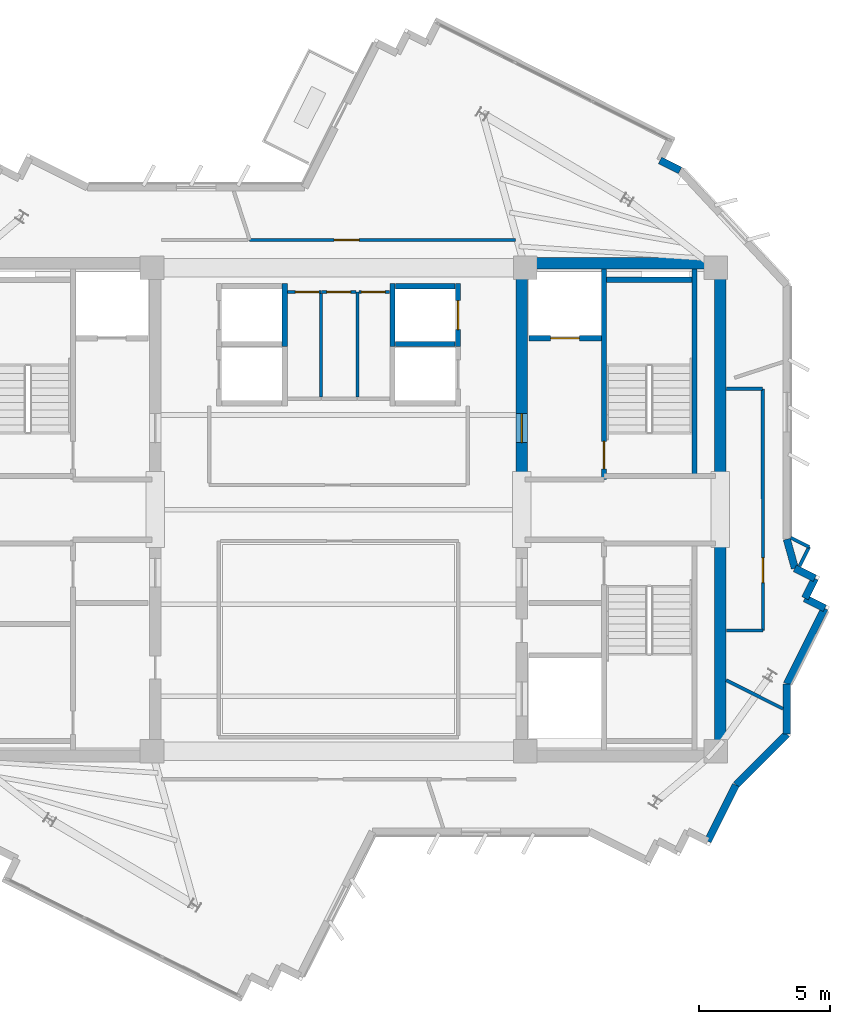
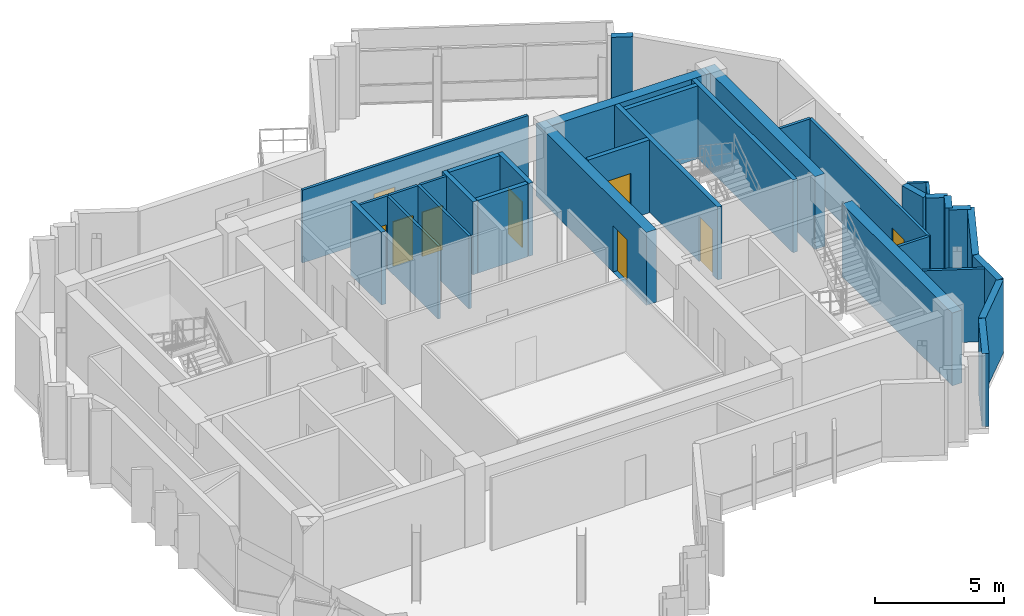
# One storey, part 8 of 11: 34 walls, 9 doors, 9 openings.
"""IFC4 building model written with IfcOpenShell, lengths in metres."""

from ifc_helpers import new_model, si_unit, direction, frame, frame_2d, origin, place, context, subcontext, project, spatial, rectangle, extrude, source, transform, mapped, material, layer, layer_set, type_object, element, fill, save


model = new_model("IFC4")

# Units and contexts
model_context = context("Model", 3, precision=1e-05, world=origin(), true_north=direction((0.0, 1.0)))
body_context = subcontext(model_context, "Body", "Model", "MODEL_VIEW")
ifc_project = project(units=[si_unit("LENGTHUNIT", "METRE"), si_unit("AREAUNIT", "SQUARE_METRE"), si_unit("VOLUMEUNIT", "CUBIC_METRE"), si_unit("PLANEANGLEUNIT", "RADIAN"), si_unit("MASSUNIT", "GRAM", prefix="KILO")], contexts=[model_context])

# Site, building, storey
site_placement = place(None, origin())
site = spatial("IfcSite", under=ifc_project, at=site_placement, CompositionType="ELEMENT")
building_placement = place(site_placement, origin())
building = spatial("IfcBuilding", under=site, at=building_placement, Name="Zahravan Cultural Tower", CompositionType="ELEMENT")
storey_placement = place(building_placement, frame((0.0, 0.0, 357.300048828125)))
storey = spatial("IfcBuildingStorey", under=building, at=storey_placement, Name="L87", CompositionType="ELEMENT", Elevation=357.300048828125)

# Wall, opening, door
ifc_material_1 = material(Name="Concrete C50/60", Category="concrete")
ifc_layer_1 = layer(ifc_material_1, 0.449951171875)
ifc_layer_set_1 = layer_set([ifc_layer_1], Name="Concrete C50/60")
wall_type_1 = type_object("IfcWallType", Name="CW-SHEAR-450-C50", PredefinedType="SHEAR", material=ifc_layer_set_1)
wall_1_placement = place(storey_placement, frame((42.97509765625, 28.050048828125, 0.0), z_axis=(0.0, 0.0, 1.0), x_axis=(0.0, 1.0, 0.0)))
wall_1 = element("IfcWall", 1, at=wall_1_placement, inside=storey, type_object=wall_type_1, Name="L87 Core Shear Wall CW-E-WN-L87", PredefinedType="SHEAR", context=body_context, shape_type="SweptSolid", body=[
    extrude(rectangle(XDim=8.550048828125, YDim=0.449951171875, at=frame_2d((4.27490234375, 0.0))), origin(), (0.0, 0.0, 1.0), 3.449951171875),
])
opening_1_placement = place(wall_1_placement, frame((1.5, 0.0, 0.0)))
opening_1 = element("IfcOpeningElement", 2, at=opening_1_placement, cuts=wall_1, Name="Opening D-L87-07", PredefinedType="OPENING", context=body_context, shape_type="SweptSolid", body=[
    extrude(rectangle(XDim=1.10009765625, YDim=2.199951171875, at=frame_2d((0.550048828125, 1.10009765625))), frame((0.0, 0.23486328125, 0.0), z_axis=(0.0, -1.0, 0.0), x_axis=(1.0, 0.0, 0.0)), (0.0, 0.0, 1.0), 0.469970703125),
])
ifc_material_2 = material(Name="Steel ASTM A572 Grade 50", Category="steel")
door_type_1 = type_object("IfcDoorType", Name="DR-LOBBY-1100", OperationType="NOTDEFINED", PredefinedType="DOOR", material=ifc_material_2)
shared_shape_1 = source(origin(), body_context, "Body", "SweptSolid", [
    extrude(rectangle(XDim=1.10009765625, YDim=2.199951171875, at=frame_2d((0.550048828125, 1.10009765625))), frame((0.0, 0.02490234375, 0.0), z_axis=(0.0, -1.0, 0.0), x_axis=(1.0, 0.0, 0.0)), (0.0, 0.0, 1.0), 0.050048828125),
])
door_1_placement = place(opening_1_placement, origin())
door_1 = element("IfcDoor", 3, at=door_1_placement, inside=storey, type_object=door_type_1, Name="L87 Door D-L87-07", OperationType="SINGLE_SWING_RIGHT", OverallHeight=2.199951171875, OverallWidth=1.10009765625, PredefinedType="DOOR", context=body_context, shape_type="MappedRepresentation", body=[
    mapped(shared_shape_1, transform((0.0, 0.0, 0.0), x_axis=(1.0, 0.0, 0.0), y_axis=(0.0, 1.0, 0.0), z_axis=(0.0, 0.0, 1.0), scale=1.0)),
])
fill(opening_1, door_1)

ifc_material_3 = material(Name="Gypsum plasterboard partition")
ifc_layer_2 = layer(ifc_material_3, 0.125)
ifc_layer_set_2 = layer_set([ifc_layer_2], Name="Gypsum plasterboard partition")
wall_type_2 = type_object("IfcWallType", Name="W-PART-125", PredefinedType="PARTITIONING", material=ifc_layer_set_2)
wall_2_placement = place(storey_placement, frame((52.14990234375, 22.406005859375, 0.0), z_axis=(0.0, 0.0, 1.0), x_axis=(-0.000132840935, 0.999999991177, 0.0)))
wall_2 = element("IfcWall", 4, at=wall_2_placement, inside=storey, type_object=wall_type_2, Name="L87 Interior Wall 050", PredefinedType="PARTITIONING", context=body_context, shape_type="SweptSolid", body=[
    extrude(rectangle(XDim=9.189208984375, YDim=0.125, at=frame_2d((4.5947265625, 0.0))), origin(), (0.0, 0.0, 1.0), 3.449951171875),
])
opening_2_placement = place(wall_2_placement, frame((1.8125, 0.0, 0.0)))
opening_2 = element("IfcOpeningElement", 5, at=opening_2_placement, cuts=wall_2, Name="Opening D-L87-21", PredefinedType="OPENING", context=body_context, shape_type="SweptSolid", body=[
    extrude(rectangle(XDim=0.949951171875, YDim=2.14990234375, at=frame_2d((0.47509765625, 1.074951171875))), frame((0.0, 0.072509765625, 0.0), z_axis=(0.0, -1.0, 0.0), x_axis=(1.0, 0.0, 0.0)), (0.0, 0.0, 1.0), 0.14501953125),
])
ifc_material_4 = material(Name="Anodised bronze-aluminium mullion", Category="aluminium")
door_type_2 = type_object("IfcDoorType", Name="DR-ROOM-950", OperationType="NOTDEFINED", PredefinedType="DOOR", material=ifc_material_4)
shared_shape_2 = source(origin(), body_context, "Body", "SweptSolid", [
    extrude(rectangle(XDim=0.949951171875, YDim=2.14990234375, at=frame_2d((0.47509765625, 1.074951171875))), frame((0.0, 0.02490234375, 0.0), z_axis=(0.0, -1.0, 0.0), x_axis=(1.0, 0.0, 0.0)), (0.0, 0.0, 1.0), 0.050048828125),
])
door_2_placement = place(opening_2_placement, origin())
door_2 = element("IfcDoor", 6, at=door_2_placement, inside=storey, type_object=door_type_2, Name="L87 Door D-L87-21", OperationType="SINGLE_SWING_RIGHT", OverallHeight=2.14990234375, OverallWidth=0.949951171875, PredefinedType="DOOR", context=body_context, shape_type="MappedRepresentation", body=[
    mapped(shared_shape_2, transform((0.0, 0.0, 0.0), x_axis=(1.0, 0.0, 0.0), y_axis=(0.0, 1.0, 0.0), z_axis=(0.0, 0.0, 1.0), scale=1.0)),
])
fill(opening_2, door_2)

wall_3_placement = place(storey_placement, frame((42.742431640625, 37.259765625, 0.0), z_axis=(0.0, 0.0, 1.0), x_axis=(-0.999999999709, 2.411847e-05, 0.0)))
wall_3 = element("IfcWall", 7, at=wall_3_placement, inside=storey, type_object=wall_type_2, Name="L87 Interior Wall 075", PredefinedType="PARTITIONING", context=body_context, shape_type="SweptSolid", body=[
    extrude(rectangle(XDim=10.12255859375, YDim=0.125, at=frame_2d((5.061279296875, 0.0))), origin(), (0.0, 0.0, 1.0), 3.449951171875),
])
opening_3_placement = place(wall_3_placement, frame((5.962158203125, 0.0, 0.0)))
opening_3 = element("IfcOpeningElement", 8, at=opening_3_placement, cuts=wall_3, Name="Opening D-L87-17", PredefinedType="OPENING", context=body_context, shape_type="SweptSolid", body=[
    extrude(rectangle(XDim=0.949951171875, YDim=2.14990234375, at=frame_2d((0.47509765625, 1.074951171875))), frame((0.0, 0.072509765625, 0.0), z_axis=(0.0, -1.0, 0.0), x_axis=(1.0, 0.0, 0.0)), (0.0, 0.0, 1.0), 0.14501953125),
])
door_3_placement = place(opening_3_placement, origin())
door_3 = element("IfcDoor", 9, at=door_3_placement, inside=storey, type_object=door_type_2, Name="L87 Door D-L87-17", OperationType="SINGLE_SWING_RIGHT", OverallHeight=2.14990234375, OverallWidth=0.949951171875, PredefinedType="DOOR", context=body_context, shape_type="MappedRepresentation", body=[
    mapped(shared_shape_2, transform((0.0, 0.0, 0.0), x_axis=(1.0, 0.0, 0.0), y_axis=(0.0, 1.0, 0.0), z_axis=(0.0, 0.0, 1.0), scale=1.0)),
])
fill(opening_3, door_3)

ifc_material_5 = material(Name="Concrete C45/55", Category="concrete")
ifc_layer_3 = layer(ifc_material_5, 0.199951171875)
ifc_layer_set_3 = layer_set([ifc_layer_3], Name="Concrete C45/55")
wall_type_3 = type_object("IfcWallType", Name="W-SHAFT-200", PredefinedType="SOLIDWALL", material=ifc_layer_set_3)
wall_4_placement = place(storey_placement, frame((46.10009765625, 28.14990234375, 0.0), z_axis=(0.0, 0.0, 1.0), x_axis=(0.0, 1.0, 0.0)))
wall_4 = element("IfcWall", 10, at=wall_4_placement, inside=storey, type_object=wall_type_3, Name="L87 Interior Wall 008", PredefinedType="SOLIDWALL", context=body_context, shape_type="SweptSolid", body=[
    extrude(rectangle(XDim=8.0, YDim=0.199951171875, at=frame_2d((4.0, 0.0))), origin(), (0.0, 0.0, 1.0), 3.449951171875),
])
opening_4_placement = place(wall_4_placement, frame((0.39990234375, 0.0, 0.0)))
opening_4 = element("IfcOpeningElement", 11, at=opening_4_placement, cuts=wall_4, Name="Opening D-L87-02", PredefinedType="OPENING", context=body_context, shape_type="SweptSolid", body=[
    extrude(rectangle(XDim=1.050048828125, YDim=2.14990234375, at=frame_2d((0.52490234375, 1.074951171875))), frame((0.0, 0.10986328125, 0.0), z_axis=(0.0, -1.0, 0.0), x_axis=(1.0, 0.0, 0.0)), (0.0, 0.0, 1.0), 0.219970703125),
])
door_type_3 = type_object("IfcDoorType", Name="DR-STAIR-1050", OperationType="NOTDEFINED", PredefinedType="DOOR", material=ifc_material_2)
shared_shape_3 = source(origin(), body_context, "Body", "SweptSolid", [
    extrude(rectangle(XDim=1.050048828125, YDim=2.14990234375, at=frame_2d((0.52490234375, 1.074951171875))), frame((0.0, 0.02490234375, 0.0), z_axis=(0.0, -1.0, 0.0), x_axis=(1.0, 0.0, 0.0)), (0.0, 0.0, 1.0), 0.050048828125),
])
door_4_placement = place(opening_4_placement, origin())
door_4 = element("IfcDoor", 12, at=door_4_placement, inside=storey, type_object=door_type_3, Name="L87 Door D-L87-02", OperationType="SINGLE_SWING_LEFT", OverallHeight=2.14990234375, OverallWidth=1.050048828125, PredefinedType="DOOR", context=body_context, shape_type="MappedRepresentation", body=[
    mapped(shared_shape_3, transform((0.0, 0.0, 0.0), x_axis=(1.0, 0.0, 0.0), y_axis=(0.0, 1.0, 0.0), z_axis=(0.0, 0.0, 1.0), scale=1.0)),
])
fill(opening_4, door_4)

wall_5_placement = place(storey_placement, frame((43.25, 33.52001953125, 0.0), z_axis=(0.0, 0.0, 1.0), x_axis=(1.0, 0.0, 0.0)))
wall_5 = element("IfcWall", 13, at=wall_5_placement, inside=storey, type_object=wall_type_3, Name="L87 Interior Wall 023", PredefinedType="SOLIDWALL", context=body_context, shape_type="SweptSolid", body=[
    extrude(rectangle(XDim=2.75, YDim=0.199951171875, at=frame_2d((1.375, 0.0))), origin(), (0.0, 0.0, 1.0), 3.449951171875),
])
opening_5_placement = place(wall_5_placement, frame((0.820068359375, 0.0, 0.0)))
opening_5 = element("IfcOpeningElement", 14, at=opening_5_placement, cuts=wall_5, Name="Opening LD-L87-02", PredefinedType="OPENING", context=body_context, shape_type="SweptSolid", body=[
    extrude(rectangle(XDim=1.10009765625, YDim=2.14990234375, at=frame_2d((0.550048828125, 1.074951171875))), frame((0.0, 0.10986328125, 0.0), z_axis=(0.0, -1.0, 0.0), x_axis=(1.0, 0.0, 0.0)), (0.0, 0.0, 1.0), 0.219970703125),
])
door_type_4 = type_object("IfcDoorType", Name="DR-LIFT-1100", OperationType="DOUBLE_DOOR_SLIDING", PredefinedType="DOOR", material=ifc_material_2)
shared_shape_4 = source(origin(), body_context, "Body", "SweptSolid", [
    extrude(rectangle(XDim=1.10009765625, YDim=2.14990234375, at=frame_2d((0.550048828125, 1.074951171875))), frame((0.0, 0.02490234375, 0.0), z_axis=(0.0, -1.0, 0.0), x_axis=(1.0, 0.0, 0.0)), (0.0, 0.0, 1.0), 0.050048828125),
])
door_5_placement = place(opening_5_placement, origin())
door_5 = element("IfcDoor", 15, at=door_5_placement, inside=storey, type_object=door_type_4, Name="L87 Door LD-L87-02", OperationType="DOUBLE_DOOR_SLIDING", OverallHeight=2.14990234375, OverallWidth=1.10009765625, PredefinedType="DOOR", context=body_context, shape_type="MappedRepresentation", body=[
    mapped(shared_shape_4, transform((0.0, 0.0, 0.0), x_axis=(1.0, 0.0, 0.0), y_axis=(0.0, 1.0, 0.0), z_axis=(0.0, 0.0, 1.0), scale=1.0)),
])
fill(opening_5, door_5)

wall_6_placement = place(storey_placement, frame((40.550048828125, 33.199951171875, 0.0), z_axis=(0.0, 0.0, 1.0), x_axis=(0.0, 1.0, 0.0)))
wall_6 = element("IfcWall", 16, at=wall_6_placement, inside=storey, type_object=wall_type_3, Name="L87 Interior Wall 035", PredefinedType="SOLIDWALL", context=body_context, shape_type="SweptSolid", body=[
    extrude(rectangle(XDim=2.400146484375, YDim=0.199951171875, at=frame_2d((1.2001953125, 0.0))), origin(), (0.0, 0.0, 1.0), 3.449951171875),
])
opening_6_placement = place(wall_6_placement, frame((0.64990234375, 0.0, 0.0)))
opening_6 = element("IfcOpeningElement", 17, at=opening_6_placement, cuts=wall_6, Name="Opening LD-L87-06", PredefinedType="OPENING", context=body_context, shape_type="SweptSolid", body=[
    extrude(rectangle(XDim=1.10009765625, YDim=2.14990234375, at=frame_2d((0.550048828125, 1.074951171875))), frame((0.0, 0.10986328125, 0.0), z_axis=(0.0, -1.0, 0.0), x_axis=(1.0, 0.0, 0.0)), (0.0, 0.0, 1.0), 0.219970703125),
])
door_6_placement = place(opening_6_placement, origin())
door_6 = element("IfcDoor", 18, at=door_6_placement, inside=storey, type_object=door_type_4, Name="L87 Door LD-L87-06", OperationType="DOUBLE_DOOR_SLIDING", OverallHeight=2.14990234375, OverallWidth=1.10009765625, PredefinedType="DOOR", context=body_context, shape_type="MappedRepresentation", body=[
    mapped(shared_shape_4, transform((0.0, 0.0, 0.0), x_axis=(1.0, 0.0, 0.0), y_axis=(0.0, 1.0, 0.0), z_axis=(0.0, 0.0, 1.0), scale=1.0)),
])
fill(opening_6, door_6)

ifc_layer_4 = layer(ifc_material_3, 0.114990234375)
ifc_layer_set_4 = layer_set([ifc_layer_4], Name="Gypsum plasterboard partition")
wall_type_4 = type_object("IfcWallType", Name="W-WC-115", PredefinedType="PARTITIONING", material=ifc_layer_set_4)
wall_7_placement = place(storey_placement, frame((36.782470703125, 35.280029296875, 0.0), z_axis=(0.0, 0.0, 1.0), x_axis=(1.0, 0.0, 0.0)))
wall_7 = element("IfcWall", 19, at=wall_7_placement, inside=storey, type_object=wall_type_4, Name="L87 Interior Wall 043", PredefinedType="PARTITIONING", context=body_context, shape_type="SweptSolid", body=[
    extrude(rectangle(XDim=1.16259765625, YDim=0.114990234375, at=frame_2d((0.581298828125, 0.0))), origin(), (0.0, 0.0, 1.0), 3.449951171875),
])
opening_7_placement = place(wall_7_placement, frame((0.0888671875, 0.0, 0.0)))
opening_7 = element("IfcOpeningElement", 20, at=opening_7_placement, cuts=wall_7, Name="Opening D-L87-15", PredefinedType="OPENING", context=body_context, shape_type="SweptSolid", body=[
    extrude(rectangle(XDim=0.89990234375, YDim=2.10009765625, at=frame_2d((0.449951171875, 1.050048828125))), frame((0.0, 0.0673828125, 0.0), z_axis=(0.0, -1.0, 0.0), x_axis=(1.0, 0.0, 0.0)), (0.0, 0.0, 1.0), 0.135009765625),
])
door_type_5 = type_object("IfcDoorType", Name="DR-WC-900", OperationType="NOTDEFINED", PredefinedType="DOOR", material=ifc_material_4)
shared_shape_5 = source(origin(), body_context, "Body", "SweptSolid", [
    extrude(rectangle(XDim=0.89990234375, YDim=2.10009765625, at=frame_2d((0.449951171875, 1.050048828125))), frame((0.0, 0.02490234375, 0.0), z_axis=(0.0, -1.0, 0.0), x_axis=(1.0, 0.0, 0.0)), (0.0, 0.0, 1.0), 0.050048828125),
])
door_7_placement = place(opening_7_placement, origin())
door_7 = element("IfcDoor", 21, at=door_7_placement, inside=storey, type_object=door_type_5, Name="L87 Door D-L87-15", OperationType="SINGLE_SWING_RIGHT", OverallHeight=2.10009765625, OverallWidth=0.89990234375, PredefinedType="DOOR", context=body_context, shape_type="MappedRepresentation", body=[
    mapped(shared_shape_5, transform((0.0, 0.0, 0.0), x_axis=(1.0, 0.0, 0.0), y_axis=(0.0, 1.0, 0.0), z_axis=(0.0, 0.0, 1.0), scale=1.0)),
])
fill(opening_7, door_7)

wall_8_placement = place(storey_placement, frame((34.054931640625, 35.280029296875, 0.0), z_axis=(0.0, 0.0, 1.0), x_axis=(1.0, 0.0, 0.0)))
wall_8 = element("IfcWall", 22, at=wall_8_placement, inside=storey, type_object=wall_type_4, Name="L87 Interior Wall 045", PredefinedType="PARTITIONING", context=body_context, shape_type="SweptSolid", body=[
    extrude(rectangle(XDim=1.28515625, YDim=0.114990234375, at=frame_2d((0.642578125, 0.0))), origin(), (0.0, 0.0, 1.0), 3.449951171875),
])
opening_8_placement = place(wall_8_placement, frame((0.30029296875, 0.0, 0.0)))
opening_8 = element("IfcOpeningElement", 23, at=opening_8_placement, cuts=wall_8, Name="Opening D-L87-13", PredefinedType="OPENING", context=body_context, shape_type="SweptSolid", body=[
    extrude(rectangle(XDim=0.89990234375, YDim=2.10009765625, at=frame_2d((0.449951171875, 1.050048828125))), frame((0.0, 0.0673828125, 0.0), z_axis=(0.0, -1.0, 0.0), x_axis=(1.0, 0.0, 0.0)), (0.0, 0.0, 1.0), 0.135009765625),
])
door_8_placement = place(opening_8_placement, origin())
door_8 = element("IfcDoor", 24, at=door_8_placement, inside=storey, type_object=door_type_5, Name="L87 Door D-L87-13", OperationType="SINGLE_SWING_RIGHT", OverallHeight=2.10009765625, OverallWidth=0.89990234375, PredefinedType="DOOR", context=body_context, shape_type="MappedRepresentation", body=[
    mapped(shared_shape_5, transform((0.0, 0.0, 0.0), x_axis=(1.0, 0.0, 0.0), y_axis=(0.0, 1.0, 0.0), z_axis=(0.0, 0.0, 1.0), scale=1.0)),
])
fill(opening_8, door_8)

wall_9_placement = place(storey_placement, frame((35.360107421875, 35.280029296875, 0.0), z_axis=(0.0, 0.0, 1.0), x_axis=(1.0, 0.0, 0.0)))
wall_9 = element("IfcWall", 25, at=wall_9_placement, inside=storey, type_object=wall_type_4, Name="L87 Interior Wall 048", PredefinedType="PARTITIONING", context=body_context, shape_type="SweptSolid", body=[
    extrude(rectangle(XDim=1.29736328125, YDim=0.114990234375, at=frame_2d((0.648681640625, 0.0))), origin(), (0.0, 0.0, 1.0), 3.449951171875),
])
opening_9_placement = place(wall_9_placement, frame((0.19873046875, 0.0, 0.0)))
opening_9 = element("IfcOpeningElement", 26, at=opening_9_placement, cuts=wall_9, Name="Opening D-L87-14", PredefinedType="OPENING", context=body_context, shape_type="SweptSolid", body=[
    extrude(rectangle(XDim=0.89990234375, YDim=2.10009765625, at=frame_2d((0.449951171875, 1.050048828125))), frame((0.0, 0.0673828125, 0.0), z_axis=(0.0, -1.0, 0.0), x_axis=(1.0, 0.0, 0.0)), (0.0, 0.0, 1.0), 0.135009765625),
])
door_9_placement = place(opening_9_placement, origin())
door_9 = element("IfcDoor", 27, at=door_9_placement, inside=storey, type_object=door_type_5, Name="L87 Door D-L87-14", OperationType="SINGLE_SWING_LEFT", OverallHeight=2.10009765625, OverallWidth=0.89990234375, PredefinedType="DOOR", context=body_context, shape_type="MappedRepresentation", body=[
    mapped(shared_shape_5, transform((0.0, 0.0, 0.0), x_axis=(1.0, 0.0, 0.0), y_axis=(0.0, 1.0, 0.0), z_axis=(0.0, 0.0, 1.0), scale=1.0)),
])
fill(opening_9, door_9)

# Walls
shared_shape_6 = source(origin(), body_context, "Body", "SweptSolid", [
    extrude(rectangle(XDim=8.550048828125, YDim=0.449951171875, at=frame_2d((4.27490234375, 0.0))), origin(), (0.0, 0.0, 1.0), 3.449951171875),
])
for number, where, z_axis, x_axis, name in (
    (28, (50.52490234375, 17.39990234375, 0.0), (0.0, 0.0, 1.0), (0.0, 1.0, 0.0), "L87 Core Shear Wall CW-E-ES-L87"),
    (29, (50.52490234375, 28.050048828125, 0.0), (0.0, 0.0, 1.0), (0.0, 1.0, 0.0), "L87 Core Shear Wall CW-E-EN-L87"),
):
    element("IfcWall", number, at=place(storey_placement, frame(where, z_axis=z_axis, x_axis=x_axis)), inside=storey, type_object=wall_type_1, Name=name, PredefinedType="SHEAR", context=body_context, shape_type="MappedRepresentation", body=[
        mapped(shared_shape_6, transform((0.0, 0.0, 0.0), x_axis=(1.0, 0.0, 0.0), y_axis=(0.0, 1.0, 0.0), z_axis=(0.0, 0.0, 1.0), scale=1.0)),
    ])
shared_shape_7 = source(origin(), body_context, "Body", "SweptSolid", [
    extrude(rectangle(XDim=7.10009765625, YDim=0.449951171875, at=frame_2d((3.550048828125, 0.0))), origin(), (0.0, 0.0, 1.0), 3.449951171875),
])
wall_10_placement = place(storey_placement, frame((43.199951171875, 36.375, 0.0), z_axis=(0.0, 0.0, 1.0), x_axis=(1.0, 0.0, 0.0)))
element("IfcWall", 30, at=wall_10_placement, inside=storey, type_object=wall_type_1, Name="L87 Core Shear Wall CW-E-N-L87", PredefinedType="SHEAR", context=body_context, shape_type="MappedRepresentation", body=[
    mapped(shared_shape_7, transform((0.0, 0.0, 0.0), x_axis=(1.0, 0.0, 0.0), y_axis=(0.0, 1.0, 0.0), z_axis=(0.0, 0.0, 1.0), scale=1.0)),
])
ifc_material_6 = material(Name="Precast concrete C40/50", Category="concrete")
ifc_layer_5 = layer(ifc_material_6, 0.280029296875)
ifc_layer_set_5 = layer_set([ifc_layer_5], Name="Precast concrete C40/50")
wall_type_5 = type_object("IfcWallType", Name="EW-TC-280", PredefinedType="SOLIDWALL", material=ifc_layer_set_5)
shared_shape_8 = source(origin(), body_context, "Body", "SweptSolid", [
    extrude(rectangle(XDim=0.849853515625, YDim=0.280029296875, at=frame_2d((0.4248046875, 0.0))), origin(), (0.0, 0.0, 1.0), 3.449951171875),
])
wall_11_placement = place(storey_placement, frame((54.12841796875, 24.3857421875, 0.0), z_axis=(0.0, 0.0, 1.0), x_axis=(-0.449280699695, -0.89339064965, 0.0)))
element("IfcWall", 31, at=wall_11_placement, inside=storey, type_object=wall_type_5, Name="L87 Exterior Masonry Frame Wall 12", PredefinedType="SOLIDWALL", context=body_context, shape_type="MappedRepresentation", body=[
    mapped(shared_shape_8, transform((0.0, 0.0, 0.0), x_axis=(1.0, 0.0, 0.0), y_axis=(0.0, 1.0, 0.0), z_axis=(0.0, 0.0, 1.0), scale=1.0)),
])
shared_shape_9 = source(origin(), body_context, "Body", "SweptSolid", [
    extrude(rectangle(XDim=0.85009765625, YDim=0.280029296875, at=frame_2d((0.425048828125, 0.0))), origin(), (0.0, 0.0, 1.0), 3.449951171875),
])
for number, where, z_axis, x_axis, name in (
    (32, (48.23583984375, 40.289306640625, 0.0), (0.0, 0.0, 1.0), (0.893275332233, -0.449509934066, 0.0), "L87 Exterior Masonry Frame Wall 07"),
    (33, (53.368896484375, 24.767578125, 0.0), (0.0, 0.0, 1.0), (0.893448612452, -0.449165422653, 0.0), "L87 Exterior Masonry Frame Wall 11"),
    (34, (53.74658203125, 23.62646484375, 0.0), (0.0, 0.0, 1.0), (0.893275332233, -0.449509934066, 0.0), "L87 Exterior Masonry Frame Wall 13"),
):
    element("IfcWall", number, at=place(storey_placement, frame(where, z_axis=z_axis, x_axis=x_axis)), inside=storey, type_object=wall_type_5, Name=name, PredefinedType="SOLIDWALL", context=body_context, shape_type="MappedRepresentation", body=[
        mapped(shared_shape_9, transform((0.0, 0.0, 0.0), x_axis=(1.0, 0.0, 0.0), y_axis=(0.0, 1.0, 0.0), z_axis=(0.0, 0.0, 1.0), scale=1.0)),
    ])
shared_shape_10 = source(origin(), body_context, "Body", "SweptSolid", [
    extrude(rectangle(XDim=1.149169921875, YDim=0.280029296875, at=frame_2d((0.57470703125, 0.0))), origin(), (0.0, 0.0, 1.0), 3.449951171875),
])
wall_12_placement = place(storey_placement, frame((53.06005859375, 25.87451171875, 0.0), z_axis=(0.0, 0.0, 1.0), x_axis=(0.268739381154, -0.963212928182, 0.0)))
element("IfcWall", 35, at=wall_12_placement, inside=storey, type_object=wall_type_5, Name="L87 Exterior Masonry Frame Wall 10", PredefinedType="SOLIDWALL", context=body_context, shape_type="MappedRepresentation", body=[
    mapped(shared_shape_10, transform((0.0, 0.0, 0.0), x_axis=(1.0, 0.0, 0.0), y_axis=(0.0, 1.0, 0.0), z_axis=(0.0, 0.0, 1.0), scale=1.0)),
])
shared_shape_11 = source(origin(), body_context, "Body", "SweptSolid", [
    extrude(rectangle(XDim=3.217529296875, YDim=0.280029296875, at=frame_2d((1.60888671875, 0.0))), origin(), (0.0, 0.0, 1.0), 3.449951171875),
])
wall_13_placement = place(storey_placement, frame((54.505859375, 23.244384765625, 0.0), z_axis=(0.0, 0.0, 1.0), x_axis=(-0.449336858059, -0.89336240574, 0.0)))
element("IfcWall", 36, at=wall_13_placement, inside=storey, type_object=wall_type_5, Name="L87 Exterior Masonry Frame Wall 14", PredefinedType="SOLIDWALL", context=body_context, shape_type="MappedRepresentation", body=[
    mapped(shared_shape_11, transform((0.0, 0.0, 0.0), x_axis=(1.0, 0.0, 0.0), y_axis=(0.0, 1.0, 0.0), z_axis=(0.0, 0.0, 1.0), scale=1.0)),
])
shared_shape_12 = source(origin(), body_context, "Body", "SweptSolid", [
    extrude(rectangle(XDim=1.911865234375, YDim=0.280029296875, at=frame_2d((0.9560546875, 0.0))), origin(), (0.0, 0.0, 1.0), 3.449951171875),
])
wall_14_placement = place(storey_placement, frame((53.06005859375, 20.369873046875, 0.0), z_axis=(0.0, 0.0, 1.0), x_axis=(0.0, -1.0, 0.0)))
element("IfcWall", 37, at=wall_14_placement, inside=storey, type_object=wall_type_5, Name="L87 Exterior Masonry Frame Wall 15", PredefinedType="SOLIDWALL", context=body_context, shape_type="MappedRepresentation", body=[
    mapped(shared_shape_12, transform((0.0, 0.0, 0.0), x_axis=(1.0, 0.0, 0.0), y_axis=(0.0, 1.0, 0.0), z_axis=(0.0, 0.0, 1.0), scale=1.0)),
])
shared_shape_13 = source(origin(), body_context, "Body", "SweptSolid", [
    extrude(rectangle(XDim=2.73583984375, YDim=0.280029296875, at=frame_2d((1.367919921875, 0.0))), origin(), (0.0, 0.0, 1.0), 3.449951171875),
])
wall_15_placement = place(storey_placement, frame((53.06005859375, 18.4580078125, 0.0), z_axis=(0.0, 0.0, 1.0), x_axis=(-0.707106781187, -0.707106781187, 0.0)))
element("IfcWall", 38, at=wall_15_placement, inside=storey, type_object=wall_type_5, Name="L87 Exterior Masonry Frame Wall 16", PredefinedType="SOLIDWALL", context=body_context, shape_type="MappedRepresentation", body=[
    mapped(shared_shape_13, transform((0.0, 0.0, 0.0), x_axis=(1.0, 0.0, 0.0), y_axis=(0.0, 1.0, 0.0), z_axis=(0.0, 0.0, 1.0), scale=1.0)),
])
shared_shape_14 = source(origin(), body_context, "Body", "SweptSolid", [
    extrude(rectangle(XDim=2.396728515625, YDim=0.280029296875, at=frame_2d((1.1982421875, 0.0))), origin(), (0.0, 0.0, 1.0), 3.449951171875),
])
wall_16_placement = place(storey_placement, frame((51.12548828125, 16.5234375, 0.0), z_axis=(0.0, 0.0, 1.0), x_axis=(-0.449331154558, -0.893365274422, 0.0)))
element("IfcWall", 39, at=wall_16_placement, inside=storey, type_object=wall_type_5, Name="L87 Exterior Masonry Frame Wall 17", PredefinedType="SOLIDWALL", context=body_context, shape_type="MappedRepresentation", body=[
    mapped(shared_shape_14, transform((0.0, 0.0, 0.0), x_axis=(1.0, 0.0, 0.0), y_axis=(0.0, 1.0, 0.0), z_axis=(0.0, 0.0, 1.0), scale=1.0)),
])
shared_shape_15 = source(origin(), body_context, "Body", "SweptSolid", [
    extrude(rectangle(XDim=7.869873046875, YDim=0.199951171875, at=frame_2d((3.93505859375, 0.0))), origin(), (0.0, 0.0, 1.0), 3.449951171875),
])
wall_17_placement = place(storey_placement, frame((49.550048828125, 28.280029296875, 0.0), z_axis=(0.0, 0.0, 1.0), x_axis=(0.0, 1.0, 0.0)))
element("IfcWall", 40, at=wall_17_placement, inside=storey, type_object=wall_type_3, Name="L87 Interior Wall 004", PredefinedType="SOLIDWALL", context=body_context, shape_type="MappedRepresentation", body=[
    mapped(shared_shape_15, transform((0.0, 0.0, 0.0), x_axis=(1.0, 0.0, 0.0), y_axis=(0.0, 1.0, 0.0), z_axis=(0.0, 0.0, 1.0), scale=1.0)),
])
shared_shape_16 = source(origin(), body_context, "Body", "SweptSolid", [
    extrude(rectangle(XDim=3.25, YDim=0.199951171875, at=frame_2d((1.625, 0.0))), origin(), (0.0, 0.0, 1.0), 3.449951171875),
])
wall_18_placement = place(storey_placement, frame((46.199951171875, 35.75, 0.0), z_axis=(0.0, 0.0, 1.0), x_axis=(1.0, 0.0, 0.0)))
element("IfcWall", 41, at=wall_18_placement, inside=storey, type_object=wall_type_3, Name="L87 Interior Wall 018", PredefinedType="SOLIDWALL", context=body_context, shape_type="MappedRepresentation", body=[
    mapped(shared_shape_16, transform((0.0, 0.0, 0.0), x_axis=(1.0, 0.0, 0.0), y_axis=(0.0, 1.0, 0.0), z_axis=(0.0, 0.0, 1.0), scale=1.0)),
])
shared_shape_17 = source(origin(), body_context, "Body", "SweptSolid", [
    extrude(rectangle(XDim=2.400146484375, YDim=0.199951171875, at=frame_2d((1.2001953125, 0.0))), origin(), (0.0, 0.0, 1.0), 3.449951171875),
])
for number, where, z_axis, x_axis, name in (
    (42, (33.949951171875, 33.199951171875, 0.0), (0.0, 0.0, 1.0), (0.0, 1.0, 0.0), "L87 Interior Wall 028"),
    (43, (38.050048828125, 33.199951171875, 0.0), (0.0, 0.0, 1.0), (0.0, 1.0, 0.0), "L87 Interior Wall 034"),
):
    element("IfcWall", number, at=place(storey_placement, frame(where, z_axis=z_axis, x_axis=x_axis)), inside=storey, type_object=wall_type_3, Name=name, PredefinedType="SOLIDWALL", context=body_context, shape_type="MappedRepresentation", body=[
        mapped(shared_shape_17, transform((0.0, 0.0, 0.0), x_axis=(1.0, 0.0, 0.0), y_axis=(0.0, 1.0, 0.0), z_axis=(0.0, 0.0, 1.0), scale=1.0)),
    ])
shared_shape_18 = source(origin(), body_context, "Body", "SweptSolid", [
    extrude(rectangle(XDim=2.260009765625, YDim=0.199951171875, at=frame_2d((1.1298828125, 0.0))), origin(), (0.0, 0.0, 1.0), 3.449951171875),
])
for number, where, z_axis, x_axis, name in (
    (44, (38.169921875, 33.300048828125, 0.0), (0.0, 0.0, 1.0), (1.0, 0.0, 0.0), "L87 Interior Wall 036"),
    (45, (38.169921875, 35.5, 0.0), (0.0, 0.0, 1.0), (1.0, 0.0, 0.0), "L87 Interior Wall 037"),
):
    element("IfcWall", number, at=place(storey_placement, frame(where, z_axis=z_axis, x_axis=x_axis)), inside=storey, type_object=wall_type_3, Name=name, PredefinedType="SOLIDWALL", context=body_context, shape_type="MappedRepresentation", body=[
        mapped(shared_shape_18, transform((0.0, 0.0, 0.0), x_axis=(1.0, 0.0, 0.0), y_axis=(0.0, 1.0, 0.0), z_axis=(0.0, 0.0, 1.0), scale=1.0)),
    ])
shared_shape_19 = source(origin(), body_context, "Body", "SweptSolid", [
    extrude(rectangle(XDim=3.99755859375, YDim=0.114990234375, at=frame_2d((1.998779296875, 0.0))), origin(), (0.0, 0.0, 1.0), 3.449951171875),
])
wall_19_placement = place(storey_placement, frame((36.719970703125, 31.282470703125, 0.0), z_axis=(0.0, 0.0, 1.0), x_axis=(0.0, 1.0, 0.0)))
element("IfcWall", 46, at=wall_19_placement, inside=storey, type_object=wall_type_4, Name="L87 Interior Wall 042", PredefinedType="PARTITIONING", context=body_context, shape_type="MappedRepresentation", body=[
    mapped(shared_shape_19, transform((0.0, 0.0, 0.0), x_axis=(1.0, 0.0, 0.0), y_axis=(0.0, 1.0, 0.0), z_axis=(0.0, 0.0, 1.0), scale=1.0)),
])
shared_shape_20 = source(origin(), body_context, "Body", "SweptSolid", [
    extrude(rectangle(XDim=3.93505859375, YDim=0.114990234375, at=frame_2d((1.967529296875, 0.0))), origin(), (0.0, 0.0, 1.0), 3.449951171875),
])
wall_20_placement = place(storey_placement, frame((35.340087890625, 35.217529296875, 0.0), z_axis=(0.0, 0.0, 1.0), x_axis=(0.0, -1.0, 0.0)))
element("IfcWall", 47, at=wall_20_placement, inside=storey, type_object=wall_type_4, Name="L87 Interior Wall 046", PredefinedType="PARTITIONING", context=body_context, shape_type="MappedRepresentation", body=[
    mapped(shared_shape_20, transform((0.0, 0.0, 0.0), x_axis=(1.0, 0.0, 0.0), y_axis=(0.0, 1.0, 0.0), z_axis=(0.0, 0.0, 1.0), scale=1.0)),
])
shared_shape_21 = source(origin(), body_context, "Body", "SweptSolid", [
    extrude(rectangle(XDim=1.38916015625, YDim=0.125, at=frame_2d((0.694580078125, 0.0))), origin(), (0.0, 0.0, 1.0), 3.449951171875),
])
wall_21_placement = place(storey_placement, frame((50.7548828125, 22.39990234375, 0.0), z_axis=(0.0, 0.0, 1.0), x_axis=(1.0, 0.0, 0.0)))
element("IfcWall", 48, at=wall_21_placement, inside=storey, type_object=wall_type_2, Name="L87 Interior Wall 049", PredefinedType="PARTITIONING", context=body_context, shape_type="MappedRepresentation", body=[
    mapped(shared_shape_21, transform((0.0, 0.0, 0.0), x_axis=(1.0, 0.0, 0.0), y_axis=(0.0, 1.0, 0.0), z_axis=(0.0, 0.0, 1.0), scale=1.0)),
])
shared_shape_22 = source(origin(), body_context, "Body", "SweptSolid", [
    extrude(rectangle(XDim=1.38232421875, YDim=0.125, at=frame_2d((0.691162109375, 0.0))), origin(), (0.0, 0.0, 1.0), 3.449951171875),
])
wall_22_placement = place(storey_placement, frame((52.13720703125, 31.59521484375, 0.0), z_axis=(0.0, 0.0, 1.0), x_axis=(-0.999994369671, 0.003355685804, 0.0)))
element("IfcWall", 49, at=wall_22_placement, inside=storey, type_object=wall_type_2, Name="L87 Interior Wall 051", PredefinedType="PARTITIONING", context=body_context, shape_type="MappedRepresentation", body=[
    mapped(shared_shape_22, transform((0.0, 0.0, 0.0), x_axis=(1.0, 0.0, 0.0), y_axis=(0.0, 1.0, 0.0), z_axis=(0.0, 0.0, 1.0), scale=1.0)),
])
shared_shape_23 = source(origin(), body_context, "Body", "SweptSolid", [
    extrude(rectangle(XDim=0.791259765625, YDim=0.125, at=frame_2d((0.3955078125, 0.0))), origin(), (0.0, 0.0, 1.0), 3.449951171875),
])
wall_23_placement = place(storey_placement, frame((53.205078125, 25.93603515625, 0.0), z_axis=(0.0, 0.0, 1.0), x_axis=(0.893437787625, -0.449186953999, 0.0)))
element("IfcWall", 50, at=wall_23_placement, inside=storey, type_object=wall_type_2, Name="L87 Interior Wall 053", PredefinedType="PARTITIONING", context=body_context, shape_type="MappedRepresentation", body=[
    mapped(shared_shape_23, transform((0.0, 0.0, 0.0), x_axis=(1.0, 0.0, 0.0), y_axis=(0.0, 1.0, 0.0), z_axis=(0.0, 0.0, 1.0), scale=1.0)),
])
shared_shape_24 = source(origin(), body_context, "Body", "SweptSolid", [
    extrude(rectangle(XDim=0.8251953125, YDim=0.125, at=frame_2d((0.41259765625, 0.0))), origin(), (0.0, 0.0, 1.0), 3.449951171875),
])
wall_24_placement = place(storey_placement, frame((53.912109375, 25.58056640625, 0.0), z_axis=(0.0, 0.0, 1.0), x_axis=(-0.449106057678, -0.893478454669, 0.0)))
element("IfcWall", 51, at=wall_24_placement, inside=storey, type_object=wall_type_2, Name="L87 Interior Wall 054", PredefinedType="PARTITIONING", context=body_context, shape_type="MappedRepresentation", body=[
    mapped(shared_shape_24, transform((0.0, 0.0, 0.0), x_axis=(1.0, 0.0, 0.0), y_axis=(0.0, 1.0, 0.0), z_axis=(0.0, 0.0, 1.0), scale=1.0)),
])
shared_shape_25 = source(origin(), body_context, "Body", "SweptSolid", [
    extrude(rectangle(XDim=2.41796875, YDim=0.125, at=frame_2d((1.208984375, 0.0))), origin(), (0.0, 0.0, 1.0), 3.449951171875),
])
wall_25_placement = place(storey_placement, frame((52.9150390625, 19.421630859375, 0.0), z_axis=(0.0, 0.0, 1.0), x_axis=(-0.893374646663, 0.449312520078, 0.0)))
element("IfcWall", 52, at=wall_25_placement, inside=storey, type_object=wall_type_2, Name="L87 Interior Wall 055", PredefinedType="PARTITIONING", context=body_context, shape_type="MappedRepresentation", body=[
    mapped(shared_shape_25, transform((0.0, 0.0, 0.0), x_axis=(1.0, 0.0, 0.0), y_axis=(0.0, 1.0, 0.0), z_axis=(0.0, 0.0, 1.0), scale=1.0)),
])

save(model, "model.ifc")
